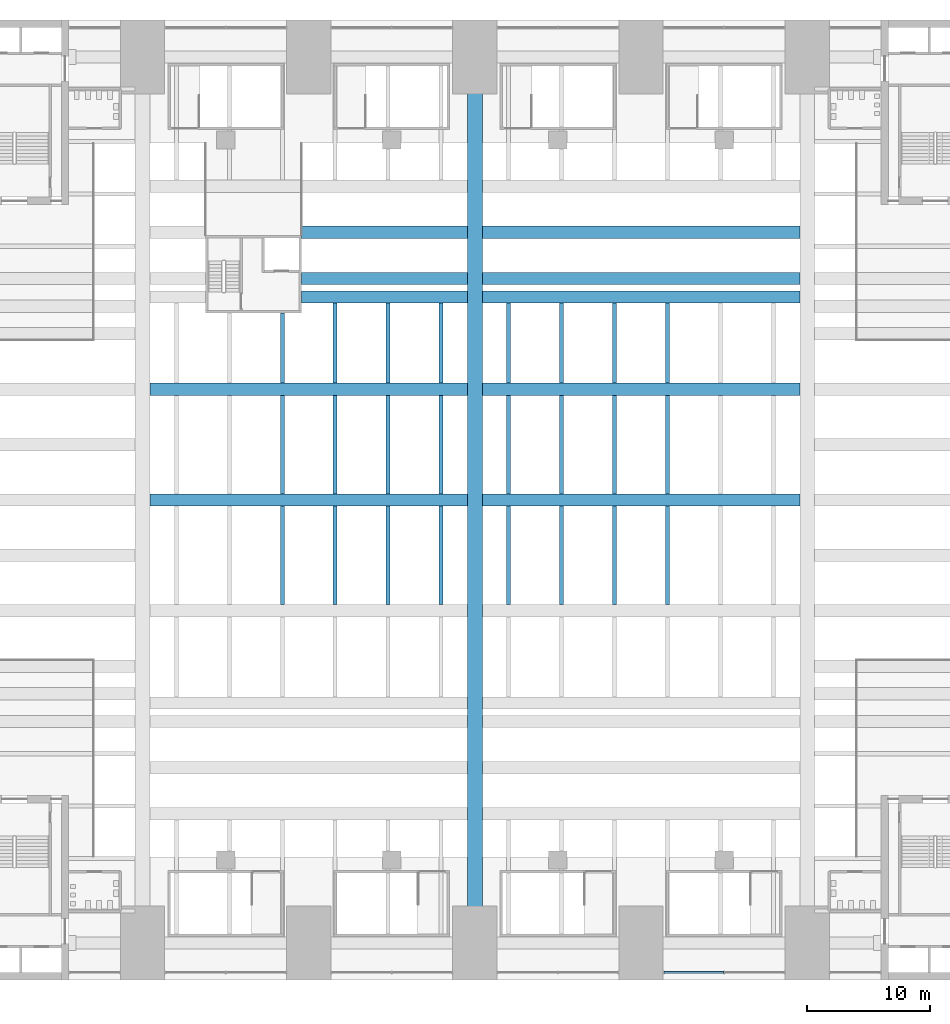
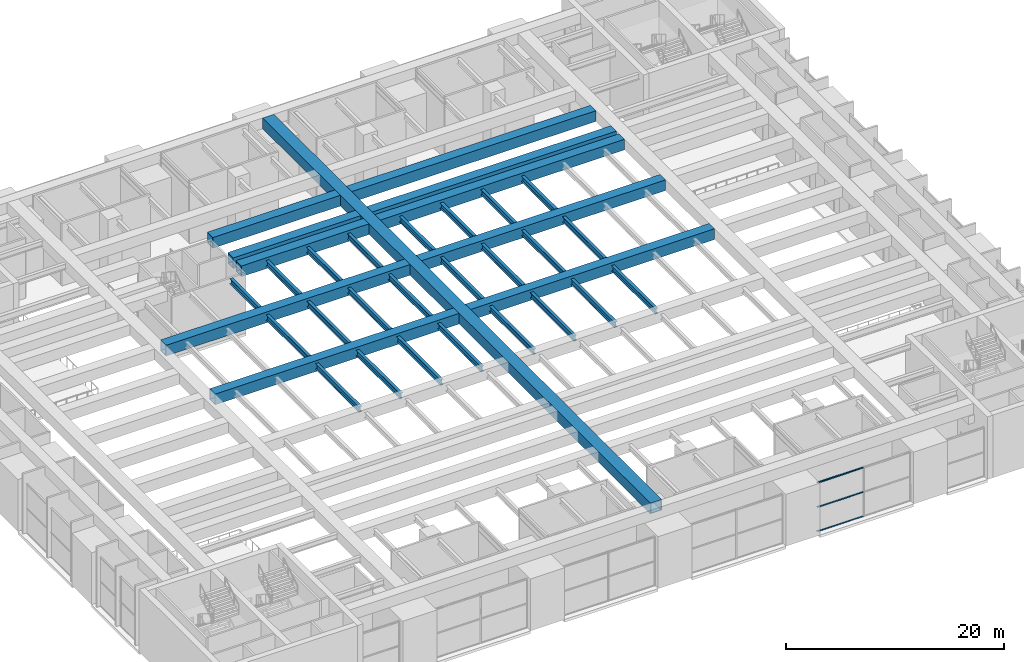
# One storey, part 13 of 45: 24 beams, 14 members, 1 element without a shape of its own.
"""IFC4 building model written with IfcOpenShell, lengths in metres."""

from ifc_helpers import new_model, si_unit, direction, frame, origin, origin_2d, place, context, subcontext, project, spatial, rectangle, hollow_rectangle, i_section, extrude, material, layer, layer_set, material_profile, profile_set, type_object, element, aggregate, save


model = new_model("IFC4")

# Units and contexts
model_context = context("Model", 3, precision=1e-05, world=origin(), true_north=direction((0.0, 1.0)))
body_context = subcontext(model_context, "Body", "Model", "MODEL_VIEW")
ifc_project = project(units=[si_unit("LENGTHUNIT", "METRE"), si_unit("AREAUNIT", "SQUARE_METRE"), si_unit("VOLUMEUNIT", "CUBIC_METRE"), si_unit("PLANEANGLEUNIT", "RADIAN"), si_unit("MASSUNIT", "GRAM", prefix="KILO")], contexts=[model_context])

# Site, building, storey
site_placement = place(None, origin())
site = spatial("IfcSite", under=ifc_project, at=site_placement, CompositionType="ELEMENT")
building_placement = place(site_placement, origin())
building = spatial("IfcBuilding", under=site, at=building_placement, Name="Corbelhall Arena Tower", CompositionType="ELEMENT")
storey_placement = place(building_placement, frame((0.0, 0.0, 37.0)))
storey = spatial("IfcBuildingStorey", under=building, at=storey_placement, Name="L05", CompositionType="ELEMENT", Elevation=37.0)

# Curtain wall, members
ifc_material_1 = material(Name="Aluminium black anodised", Category="aluminium")
ifc_layer = layer(ifc_material_1, 0.239990234375)
ifc_layer_set = layer_set([ifc_layer], Name="EV-CW4 Arena concourse glazing")
curtain_wall_type = type_object("IfcCurtainWallType", Name="EV-CW4 Arena concourse glazing", PredefinedType="NOTDEFINED", material=ifc_layer_set)
curtain_wall_placement = place(storey_placement, origin())
curtain_wall = element("IfcCurtainWall", 1, at=curtain_wall_placement, inside=storey, type_object=curtain_wall_type, Name="Curtain wall CW4", PredefinedType="NOTDEFINED")
ifc_material_profile_1 = material_profile(ifc_material_1, rectangle(XDim=0.14990234375, YDim=0.074951171875, at=origin_2d()))
ifc_profile_set_1 = profile_set([ifc_material_profile_1], Name="Aluminium black anodised")
member_type_1 = type_object("IfcMemberType", Name="EV-CW4-TRANSOM", PredefinedType="USERDEFINED", material=ifc_profile_set_1)
member_1_placement = place(storey_placement, frame((15.375, -38.3798828125, 0.03759765625), z_axis=(1.0, 0.0, 0.0), x_axis=(0.0, 1.0, 0.0)))
member_1 = element("IfcMember", 2, at=member_1_placement, type_object=member_type_1, Name="CW4 transom 1.1", ObjectType="transom", PredefinedType="USERDEFINED", context=body_context, shape_type="SweptSolid", body=[
    extrude(rectangle(XDim=0.14990234375, YDim=0.074951171875, at=origin_2d()), origin(), (0.0, 0.0, 1.0), 4.83740234375),
])
member_2_placement = place(storey_placement, frame((15.375, -38.3798828125, 2.75), z_axis=(1.0, 0.0, 0.0), x_axis=(0.0, 1.0, 0.0)))
member_2 = element("IfcMember", 3, at=member_2_placement, type_object=member_type_1, Name="CW4 transom 1.2", ObjectType="transom", PredefinedType="USERDEFINED", context=body_context, shape_type="SweptSolid", body=[
    extrude(rectangle(XDim=0.14990234375, YDim=0.074951171875, at=origin_2d()), origin(), (0.0, 0.0, 1.0), 4.83740234375),
])
member_3_placement = place(storey_placement, frame((15.375, -38.3798828125, 5.46240234375), z_axis=(1.0, 0.0, 0.0), x_axis=(0.0, 1.0, 0.0)))
member_3 = element("IfcMember", 4, at=member_3_placement, type_object=member_type_1, Name="CW4 transom 1.3", ObjectType="transom", PredefinedType="USERDEFINED", context=body_context, shape_type="SweptSolid", body=[
    extrude(rectangle(XDim=0.14990234375, YDim=0.074951171875, at=origin_2d()), origin(), (0.0, 0.0, 1.0), 4.83740234375),
])
aggregate(curtain_wall, [member_1, member_2, member_3])

# Beams
ifc_material_2 = material(Name="Steel ASTM A992 Gr50", Category="steel")
ifc_material_profile_2 = material_profile(ifc_material_2, i_section(OverallWidth=0.323974609375, OverallDepth=0.611083984375, WebThickness=0.0126953125, FlangeThickness=0.01904296875, at=origin_2d()))
ifc_profile_set_2 = profile_set([ifc_material_profile_2], Name="Steel ASTM A992 Gr50")
beam_type = type_object("IfcBeamType", Name="PO-BEAM-W24X104", PredefinedType="BEAM", material=ifc_profile_set_2)
for number, where, z_axis, x_axis, name in (
    (5, (-15.64990234375, -8.5, 6.39453125), (0.0, 1.0, 0.0), (-1.0, 0.0, 0.0), "DECK BEAM BOT 22.3"),
    (6, (-11.35009765625, -8.5, 6.39453125), (0.0, 1.0, 0.0), (-1.0, 0.0, 0.0), "DECK BEAM BOT 22.4"),
    (7, (-7.050048828125, -8.5, 6.39453125), (0.0, 1.0, 0.0), (-1.0, 0.0, 0.0), "DECK BEAM BOT 22.5"),
    (8, (-2.75, -8.5, 6.39453125), (0.0, 1.0, 0.0), (-1.0, 0.0, 0.0), "DECK BEAM BOT 22.6"),
    (9, (-15.64990234375, 0.5, 6.39453125), (0.0, 1.0, 0.0), (-1.0, 0.0, 0.0), "DECK BEAM BOT 23.3"),
    (10, (-11.35009765625, 0.5, 6.39453125), (0.0, 1.0, 0.0), (-1.0, 0.0, 0.0), "DECK BEAM BOT 23.4"),
    (11, (-7.050048828125, 0.5, 6.39453125), (0.0, 1.0, 0.0), (-1.0, 0.0, 0.0), "DECK BEAM BOT 23.5"),
    (12, (-2.75, 0.5, 6.39453125), (0.0, 1.0, 0.0), (-1.0, 0.0, 0.0), "DECK BEAM BOT 23.6"),
):
    element("IfcBeam", number, at=place(storey_placement, frame(where, z_axis=z_axis, x_axis=x_axis)), inside=storey, type_object=beam_type, Name=name, PredefinedType="BEAM", context=body_context, shape_type="SweptSolid", body=[
        extrude(i_section(OverallWidth=0.323974609375, OverallDepth=0.611083984375, WebThickness=0.0126953125, FlangeThickness=0.01904296875, at=origin_2d()), origin(), (0.0, 0.0, 1.0), 8.0),
    ])
beam_placement = place(storey_placement, frame((-15.64990234375, 9.5, 6.39453125), z_axis=(0.0, 1.0, 0.0), x_axis=(-1.0, 0.0, 0.0)))
element("IfcBeam", 13, at=beam_placement, inside=storey, type_object=beam_type, Name="DECK BEAM BOT 25.3", PredefinedType="BEAM", context=body_context, shape_type="SweptSolid", body=[
    extrude(i_section(OverallWidth=0.323974609375, OverallDepth=0.611083984375, WebThickness=0.0126953125, FlangeThickness=0.01904296875, at=origin_2d()), origin(), (0.0, 0.0, 1.0), 5.699951171875),
])
for number, where, z_axis, x_axis, name in (
    (14, (-11.35009765625, 9.5, 6.39453125), (0.0, 1.0, 0.0), (-1.0, 0.0, 0.0), "DECK BEAM BOT 25.4"),
    (15, (-7.050048828125, 9.5, 6.39453125), (0.0, 1.0, 0.0), (-1.0, 0.0, 0.0), "DECK BEAM BOT 25.5"),
    (16, (-2.75, 9.5, 6.39453125), (0.0, 1.0, 0.0), (-1.0, 0.0, 0.0), "DECK BEAM BOT 25.6"),
):
    element("IfcBeam", number, at=place(storey_placement, frame(where, z_axis=z_axis, x_axis=x_axis)), inside=storey, type_object=beam_type, Name=name, PredefinedType="BEAM", context=body_context, shape_type="SweptSolid", body=[
        extrude(i_section(OverallWidth=0.323974609375, OverallDepth=0.611083984375, WebThickness=0.0126953125, FlangeThickness=0.01904296875, at=origin_2d()), origin(), (0.0, 0.0, 1.0), 6.5),
    ])
for number, where, z_axis, x_axis, name in (
    (17, (2.75, -8.5, 6.39453125), (0.0, 1.0, 0.0), (-1.0, 0.0, 0.0), "DECK BEAM BOT 33.1"),
    (18, (7.050048828125, -8.5, 6.39453125), (0.0, 1.0, 0.0), (-1.0, 0.0, 0.0), "DECK BEAM BOT 33.2"),
    (19, (11.35009765625, -8.5, 6.39453125), (0.0, 1.0, 0.0), (-1.0, 0.0, 0.0), "DECK BEAM BOT 33.3"),
    (20, (15.64990234375, -8.5, 6.39453125), (0.0, 1.0, 0.0), (-1.0, 0.0, 0.0), "DECK BEAM BOT 33.4"),
    (21, (2.75, 0.5, 6.39453125), (0.0, 1.0, 0.0), (-1.0, 0.0, 0.0), "DECK BEAM BOT 34.1"),
    (22, (7.050048828125, 0.5, 6.39453125), (0.0, 1.0, 0.0), (-1.0, 0.0, 0.0), "DECK BEAM BOT 34.2"),
    (23, (11.35009765625, 0.5, 6.39453125), (0.0, 1.0, 0.0), (-1.0, 0.0, 0.0), "DECK BEAM BOT 34.3"),
    (24, (15.64990234375, 0.5, 6.39453125), (0.0, 1.0, 0.0), (-1.0, 0.0, 0.0), "DECK BEAM BOT 34.4"),
):
    element("IfcBeam", number, at=place(storey_placement, frame(where, z_axis=z_axis, x_axis=x_axis)), inside=storey, type_object=beam_type, Name=name, PredefinedType="BEAM", context=body_context, shape_type="SweptSolid", body=[
        extrude(i_section(OverallWidth=0.323974609375, OverallDepth=0.611083984375, WebThickness=0.0126953125, FlangeThickness=0.01904296875, at=origin_2d()), origin(), (0.0, 0.0, 1.0), 8.0),
    ])
for number, where, z_axis, x_axis, name in (
    (25, (2.75, 9.5, 6.39453125), (0.0, 1.0, 0.0), (-1.0, 0.0, 0.0), "DECK BEAM BOT 35.1"),
    (26, (7.050048828125, 9.5, 6.39453125), (0.0, 1.0, 0.0), (-1.0, 0.0, 0.0), "DECK BEAM BOT 35.2"),
    (27, (11.35009765625, 9.5, 6.39453125), (0.0, 1.0, 0.0), (-1.0, 0.0, 0.0), "DECK BEAM BOT 35.3"),
    (28, (15.64990234375, 9.5, 6.39453125), (0.0, 1.0, 0.0), (-1.0, 0.0, 0.0), "DECK BEAM BOT 35.4"),
):
    element("IfcBeam", number, at=place(storey_placement, frame(where, z_axis=z_axis, x_axis=x_axis)), inside=storey, type_object=beam_type, Name=name, PredefinedType="BEAM", context=body_context, shape_type="SweptSolid", body=[
        extrude(i_section(OverallWidth=0.323974609375, OverallDepth=0.611083984375, WebThickness=0.0126953125, FlangeThickness=0.01904296875, at=origin_2d()), origin(), (0.0, 0.0, 1.0), 6.5),
    ])

# Members
ifc_material_3 = material(Name="Steel ASTM A572 Gr50", Category="steel")
ifc_material_profile_3 = material_profile(ifc_material_3, hollow_rectangle(XDim=1.0, YDim=1.199951171875, WallThickness=0.06005859375, at=origin_2d()))
ifc_profile_set_3 = profile_set([ifc_material_profile_3], Name="Steel ASTM A572 Gr50")
member_type_2 = type_object("IfcMemberType", Name="PO-CHORD-1200X1000X60", PredefinedType="CHORD", material=ifc_profile_set_3)
for number, where, z_axis, x_axis, name in (
    (29, (-26.39990234375, 0.0, 6.39990234375), (1.0, 0.0, 0.0), (0.0, 1.0, 0.0), "TRUSS SEC-N00.00-1 BOT CHORD"),
    (30, (0.60009765625, 0.0, 6.39990234375), (1.0, 0.0, 0.0), (0.0, 1.0, 0.0), "TRUSS SEC-N00.00-2 BOT CHORD"),
    (31, (-26.39990234375, 9.0, 6.39990234375), (1.0, 0.0, 0.0), (0.0, 1.0, 0.0), "TRUSS SEC-N09.00-1 BOT CHORD"),
    (32, (0.60009765625, 9.0, 6.39990234375), (1.0, 0.0, 0.0), (0.0, 1.0, 0.0), "TRUSS SEC-N09.00-2 BOT CHORD"),
):
    element("IfcMember", number, at=place(storey_placement, frame(where, z_axis=z_axis, x_axis=x_axis)), inside=storey, type_object=member_type_2, Name=name, PredefinedType="CHORD", context=body_context, shape_type="SweptSolid", body=[
        extrude(hollow_rectangle(XDim=1.0, YDim=1.199951171875, WallThickness=0.06005859375, at=origin_2d()), origin(), (0.0, 0.0, 1.0), 25.7998046875),
    ])
member_4_placement = place(storey_placement, frame((-14.10009765625, 16.5, 6.39990234375), z_axis=(1.0, 0.0, 0.0), x_axis=(0.0, 1.0, 0.0)))
element("IfcMember", 33, at=member_4_placement, inside=storey, type_object=member_type_2, Name="TRUSS SEC-N16.50-1E BOT CHORD", PredefinedType="CHORD", context=body_context, shape_type="SweptSolid", body=[
    extrude(hollow_rectangle(XDim=1.0, YDim=1.199951171875, WallThickness=0.06005859375, at=origin_2d()), origin(), (0.0, 0.0, 1.0), 13.5),
])
member_5_placement = place(storey_placement, frame((0.60009765625, 16.5, 6.39990234375), z_axis=(1.0, 0.0, 0.0), x_axis=(0.0, 1.0, 0.0)))
element("IfcMember", 34, at=member_5_placement, inside=storey, type_object=member_type_2, Name="TRUSS SEC-N16.50-2 BOT CHORD", PredefinedType="CHORD", context=body_context, shape_type="SweptSolid", body=[
    extrude(hollow_rectangle(XDim=1.0, YDim=1.199951171875, WallThickness=0.06005859375, at=origin_2d()), origin(), (0.0, 0.0, 1.0), 25.7998046875),
])
member_6_placement = place(storey_placement, frame((-14.10009765625, 18.0, 6.39990234375), z_axis=(1.0, 0.0, 0.0), x_axis=(0.0, 1.0, 0.0)))
element("IfcMember", 35, at=member_6_placement, inside=storey, type_object=member_type_2, Name="TRUSS SEC-N18.00-1E BOT CHORD", PredefinedType="CHORD", context=body_context, shape_type="SweptSolid", body=[
    extrude(hollow_rectangle(XDim=1.0, YDim=1.199951171875, WallThickness=0.06005859375, at=origin_2d()), origin(), (0.0, 0.0, 1.0), 13.5),
])
member_7_placement = place(storey_placement, frame((0.60009765625, 18.0, 6.39990234375), z_axis=(1.0, 0.0, 0.0), x_axis=(0.0, 1.0, 0.0)))
element("IfcMember", 36, at=member_7_placement, inside=storey, type_object=member_type_2, Name="TRUSS SEC-N18.00-2 BOT CHORD", PredefinedType="CHORD", context=body_context, shape_type="SweptSolid", body=[
    extrude(hollow_rectangle(XDim=1.0, YDim=1.199951171875, WallThickness=0.06005859375, at=origin_2d()), origin(), (0.0, 0.0, 1.0), 25.7998046875),
])
member_8_placement = place(storey_placement, frame((-14.10009765625, 21.75, 6.39990234375), z_axis=(1.0, 0.0, 0.0), x_axis=(0.0, 1.0, 0.0)))
element("IfcMember", 37, at=member_8_placement, inside=storey, type_object=member_type_2, Name="TRUSS SEC-N21.75-1E BOT CHORD", PredefinedType="CHORD", context=body_context, shape_type="SweptSolid", body=[
    extrude(hollow_rectangle(XDim=1.0, YDim=1.199951171875, WallThickness=0.06005859375, at=origin_2d()), origin(), (0.0, 0.0, 1.0), 13.5),
])
member_9_placement = place(storey_placement, frame((0.60009765625, 21.75, 6.39990234375), z_axis=(1.0, 0.0, 0.0), x_axis=(0.0, 1.0, 0.0)))
element("IfcMember", 38, at=member_9_placement, inside=storey, type_object=member_type_2, Name="TRUSS SEC-N21.75-2 BOT CHORD", PredefinedType="CHORD", context=body_context, shape_type="SweptSolid", body=[
    extrude(hollow_rectangle(XDim=1.0, YDim=1.199951171875, WallThickness=0.06005859375, at=origin_2d()), origin(), (0.0, 0.0, 1.0), 25.7998046875),
])
ifc_material_profile_4 = material_profile(ifc_material_3, hollow_rectangle(XDim=1.199951171875, YDim=1.199951171875, WallThickness=0.080078125, at=origin_2d()))
ifc_profile_set_4 = profile_set([ifc_material_profile_4], Name="Steel ASTM A572 Gr50")
member_type_3 = type_object("IfcMemberType", Name="PO-CHORD-1200X1200X80", PredefinedType="CHORD", material=ifc_profile_set_4)
member_10_placement = place(storey_placement, frame((0.0, -35.5, 6.39990234375), z_axis=(0.0, 1.0, 0.0), x_axis=(-1.0, 0.0, 0.0)))
element("IfcMember", 39, at=member_10_placement, inside=storey, type_object=member_type_3, Name="TRUSS PRI-+0.0 BOT CHORD", PredefinedType="CHORD", context=body_context, shape_type="SweptSolid", body=[
    extrude(hollow_rectangle(XDim=1.199951171875, YDim=1.199951171875, WallThickness=0.080078125, at=origin_2d()), origin(), (0.0, 0.0, 1.0), 71.0),
])

save(model, "model.ifc")
